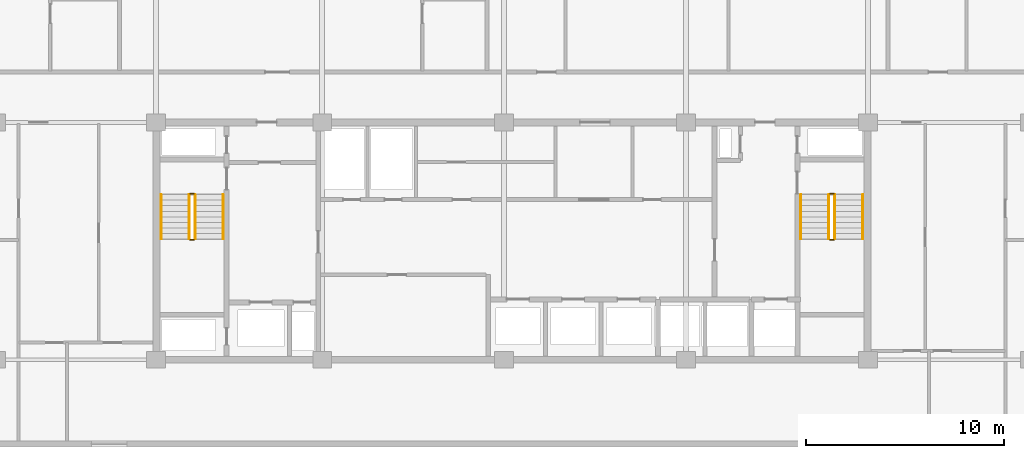
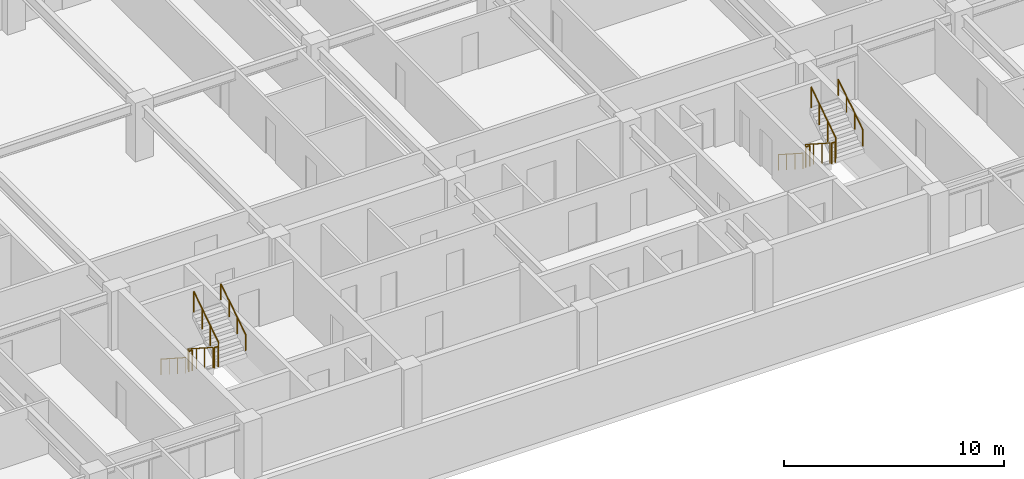
# One storey, part 21 of 22: 12 railings.
"""IFC4 building model written with IfcOpenShell, lengths in metres."""

from ifc_helpers import new_model, si_unit, direction, frame, origin, origin_2d, place, context, subcontext, project, spatial, circle, extrude, material, type_object, element, save


model = new_model("IFC4")

# Units and contexts
model_context = context("Model", 3, precision=1e-05, world=origin(), true_north=direction((0.0, 1.0)))
body_context = subcontext(model_context, "Body", "Model", "MODEL_VIEW")
ifc_project = project(units=[si_unit("LENGTHUNIT", "METRE"), si_unit("AREAUNIT", "SQUARE_METRE"), si_unit("VOLUMEUNIT", "CUBIC_METRE"), si_unit("PLANEANGLEUNIT", "RADIAN"), si_unit("MASSUNIT", "GRAM", prefix="KILO")], contexts=[model_context])

# Site, building, storey
site_placement = place(None, origin())
site = spatial("IfcSite", under=ifc_project, at=site_placement, CompositionType="ELEMENT")
building_placement = place(site_placement, origin())
building = spatial("IfcBuilding", under=site, at=building_placement, Name="Korimba Cascade Residences", CompositionType="ELEMENT")
storey_placement = place(building_placement, frame((0.0, 0.0, 132.800048828125)))
storey = spatial("IfcBuildingStorey", under=building, at=storey_placement, Name="L38", CompositionType="ELEMENT", Elevation=132.800048828125)

# Railings
ifc_material_1 = material(Name="Painted Steel Stairwell Guardrail", Category="steel")
railing_type_1 = type_object("IfcRailingType", Name="RLG-ST-GD1150", PredefinedType="GUARDRAIL", material=ifc_material_1)
railing_1_placement = place(storey_placement, frame((77.77001953125, 63.550048828125, 0.180419921875)))
element("IfcRailing", 1, at=railing_1_placement, inside=storey, type_object=railing_type_1, Name="L38 ST-W1 stair guard 1", PredefinedType="GUARDRAIL", context=body_context, shape_type="SweptSolid", body=[
    extrude(circle(Radius=0.02392578125, at=origin_2d()), frame((0.0, 0.0, 1.1259765625), z_axis=(0.0, -0.840394893359, 0.541974559565), x_axis=(1.0, 0.0, 0.0)), (0.0, 0.0, 1.0), 2.665283203125),
    extrude(circle(Radius=0.02099609375, at=origin_2d()), origin(), (0.0, 0.0, 1.0), 1.101806640625),
    extrude(circle(Radius=0.02099609375, at=origin_2d()), frame((0.0, -0.74658203125, 0.4814453125)), (0.0, 0.0, 1.0), 1.101806640625),
    extrude(circle(Radius=0.02099609375, at=origin_2d()), frame((0.0, -1.493408203125, 0.963134765625)), (0.0, 0.0, 1.0), 1.101806640625),
    extrude(circle(Radius=0.02099609375, at=origin_2d()), frame((0.0, -2.239990234375, 1.444580078125)), (0.0, 0.0, 1.0), 1.101806640625),
])
railing_2_placement = place(storey_placement, frame((77.820068359375, 61.260009765625, 1.625)))
element("IfcRailing", 2, at=railing_2_placement, inside=storey, type_object=railing_type_1, Name="L38 ST-W1 stair guard 2", PredefinedType="GUARDRAIL", context=body_context, shape_type="SweptSolid", body=[
    extrude(circle(Radius=0.02392578125, at=origin_2d()), frame((0.0, 0.0, 1.1259765625), z_axis=(1.0, 0.0, 0.0), x_axis=(0.0, 1.0, 0.0)), (0.0, 0.0, 1.0), 0.199951171875),
    extrude(circle(Radius=0.02099609375, at=origin_2d()), origin(), (0.0, 0.0, 1.0), 1.101806640625),
    extrude(circle(Radius=0.02099609375, at=origin_2d()), frame((0.199951171875, 0.0, 0.0)), (0.0, 0.0, 1.0), 1.101806640625),
])
railing_3_placement = place(storey_placement, frame((78.070068359375, 61.31005859375, 1.805419921875)))
element("IfcRailing", 3, at=railing_3_placement, inside=storey, type_object=railing_type_1, Name="L38 ST-W1 stair guard 3", PredefinedType="GUARDRAIL", context=body_context, shape_type="SweptSolid", body=[
    extrude(circle(Radius=0.02392578125, at=origin_2d()), frame((0.0, 0.0, 1.1259765625), z_axis=(0.0, 0.840394893359, 0.541974559565), x_axis=(-1.0, 0.0, 0.0)), (0.0, 0.0, 1.0), 2.665283203125),
    extrude(circle(Radius=0.02099609375, at=origin_2d()), origin(), (0.0, 0.0, 1.0), 1.101806640625),
    extrude(circle(Radius=0.02099609375, at=origin_2d()), frame((0.0, 0.74658203125, 0.4814453125)), (0.0, 0.0, 1.0), 1.101806640625),
    extrude(circle(Radius=0.02099609375, at=origin_2d()), frame((0.0, 1.493408203125, 0.963134765625)), (0.0, 0.0, 1.0), 1.101806640625),
    extrude(circle(Radius=0.02099609375, at=origin_2d()), frame((0.0, 2.239990234375, 1.444580078125)), (0.0, 0.0, 1.0), 1.101806640625),
])
railing_4_placement = place(storey_placement, frame((77.820068359375, 63.60009765625, 0.0)))
element("IfcRailing", 4, at=railing_4_placement, inside=storey, type_object=railing_type_1, Name="L38 ST-W1 stair guard 4", PredefinedType="GUARDRAIL", context=body_context, shape_type="SweptSolid", body=[
    extrude(circle(Radius=0.02392578125, at=origin_2d()), frame((0.0, 0.0, 1.1259765625), z_axis=(1.0, 0.0, 0.0), x_axis=(0.0, 1.0, 0.0)), (0.0, 0.0, 1.0), 0.199951171875),
    extrude(circle(Radius=0.02099609375, at=origin_2d()), origin(), (0.0, 0.0, 1.0), 1.101806640625),
    extrude(circle(Radius=0.02099609375, at=origin_2d()), frame((0.199951171875, 0.0, 0.0)), (0.0, 0.0, 1.0), 1.101806640625),
])
railing_5_placement = place(storey_placement, frame((110.1298828125, 63.550048828125, 0.180419921875)))
element("IfcRailing", 5, at=railing_5_placement, inside=storey, type_object=railing_type_1, Name="L38 ST-W2 stair guard 1", PredefinedType="GUARDRAIL", context=body_context, shape_type="SweptSolid", body=[
    extrude(circle(Radius=0.02392578125, at=origin_2d()), frame((0.0, 0.0, 1.1259765625), z_axis=(0.0, -0.840394893359, 0.541974559565), x_axis=(1.0, 0.0, 0.0)), (0.0, 0.0, 1.0), 2.665283203125),
    extrude(circle(Radius=0.02099609375, at=origin_2d()), origin(), (0.0, 0.0, 1.0), 1.101806640625),
    extrude(circle(Radius=0.02099609375, at=origin_2d()), frame((0.0, -0.74658203125, 0.4814453125)), (0.0, 0.0, 1.0), 1.101806640625),
    extrude(circle(Radius=0.02099609375, at=origin_2d()), frame((0.0, -1.493408203125, 0.963134765625)), (0.0, 0.0, 1.0), 1.101806640625),
    extrude(circle(Radius=0.02099609375, at=origin_2d()), frame((0.0, -2.239990234375, 1.444580078125)), (0.0, 0.0, 1.0), 1.101806640625),
])
railing_6_placement = place(storey_placement, frame((110.179931640625, 61.260009765625, 1.625)))
element("IfcRailing", 6, at=railing_6_placement, inside=storey, type_object=railing_type_1, Name="L38 ST-W2 stair guard 2", PredefinedType="GUARDRAIL", context=body_context, shape_type="SweptSolid", body=[
    extrude(circle(Radius=0.02392578125, at=origin_2d()), frame((0.0, 0.0, 1.1259765625), z_axis=(1.0, 0.0, 0.0), x_axis=(0.0, 1.0, 0.0)), (0.0, 0.0, 1.0), 0.199951171875),
    extrude(circle(Radius=0.02099609375, at=origin_2d()), origin(), (0.0, 0.0, 1.0), 1.101806640625),
    extrude(circle(Radius=0.02099609375, at=origin_2d()), frame((0.199951171875, 0.0, 0.0)), (0.0, 0.0, 1.0), 1.101806640625),
])
railing_7_placement = place(storey_placement, frame((110.429931640625, 61.31005859375, 1.805419921875)))
element("IfcRailing", 7, at=railing_7_placement, inside=storey, type_object=railing_type_1, Name="L38 ST-W2 stair guard 3", PredefinedType="GUARDRAIL", context=body_context, shape_type="SweptSolid", body=[
    extrude(circle(Radius=0.02392578125, at=origin_2d()), frame((0.0, 0.0, 1.1259765625), z_axis=(0.0, 0.840394893359, 0.541974559565), x_axis=(-1.0, 0.0, 0.0)), (0.0, 0.0, 1.0), 2.665283203125),
    extrude(circle(Radius=0.02099609375, at=origin_2d()), origin(), (0.0, 0.0, 1.0), 1.101806640625),
    extrude(circle(Radius=0.02099609375, at=origin_2d()), frame((0.0, 0.74658203125, 0.4814453125)), (0.0, 0.0, 1.0), 1.101806640625),
    extrude(circle(Radius=0.02099609375, at=origin_2d()), frame((0.0, 1.493408203125, 0.963134765625)), (0.0, 0.0, 1.0), 1.101806640625),
    extrude(circle(Radius=0.02099609375, at=origin_2d()), frame((0.0, 2.239990234375, 1.444580078125)), (0.0, 0.0, 1.0), 1.101806640625),
])
railing_8_placement = place(storey_placement, frame((110.179931640625, 63.60009765625, 0.0)))
element("IfcRailing", 8, at=railing_8_placement, inside=storey, type_object=railing_type_1, Name="L38 ST-W2 stair guard 4", PredefinedType="GUARDRAIL", context=body_context, shape_type="SweptSolid", body=[
    extrude(circle(Radius=0.02392578125, at=origin_2d()), frame((0.0, 0.0, 1.1259765625), z_axis=(1.0, 0.0, 0.0), x_axis=(0.0, 1.0, 0.0)), (0.0, 0.0, 1.0), 0.199951171875),
    extrude(circle(Radius=0.02099609375, at=origin_2d()), origin(), (0.0, 0.0, 1.0), 1.101806640625),
    extrude(circle(Radius=0.02099609375, at=origin_2d()), frame((0.199951171875, 0.0, 0.0)), (0.0, 0.0, 1.0), 1.101806640625),
])
ifc_material_2 = material(Name="Brushed Stainless Steel Handrail", Category="steel")
railing_type_2 = type_object("IfcRailingType", Name="RLG-ST-HR900", PredefinedType="HANDRAIL", material=ifc_material_2)
railing_9_placement = place(storey_placement, frame((76.35009765625, 63.550048828125, 0.364990234375)))
element("IfcRailing", 9, at=railing_9_placement, inside=storey, type_object=railing_type_2, Name="L38 ST-W1 stair handrail 1", PredefinedType="HANDRAIL", context=body_context, shape_type="SweptSolid", body=[
    extrude(circle(Radius=0.02392578125, at=origin_2d()), frame((0.0, 0.0, 0.8759765625), z_axis=(0.0, -0.840436612492, 0.541909863706), x_axis=(1.0, 0.0, 0.0)), (0.0, 0.0, 1.0), 2.665283203125),
    extrude(circle(Radius=0.02099609375, at=origin_2d()), origin(), (0.0, 0.0, 1.0), 0.851806640625),
    extrude(circle(Radius=0.02099609375, at=origin_2d()), frame((0.0, -0.74658203125, 0.4814453125)), (0.0, 0.0, 1.0), 0.851806640625),
    extrude(circle(Radius=0.02099609375, at=origin_2d()), frame((0.0, -1.493408203125, 0.962890625)), (0.0, 0.0, 1.0), 0.851806640625),
    extrude(circle(Radius=0.02099609375, at=origin_2d()), frame((0.0, -2.239990234375, 1.4443359375)), (0.0, 0.0, 1.0), 0.851806640625),
])
railing_10_placement = place(storey_placement, frame((79.489990234375, 61.31005859375, 1.989990234375)))
element("IfcRailing", 10, at=railing_10_placement, inside=storey, type_object=railing_type_2, Name="L38 ST-W1 stair handrail 2", PredefinedType="HANDRAIL", context=body_context, shape_type="SweptSolid", body=[
    extrude(circle(Radius=0.02392578125, at=origin_2d()), frame((0.0, 0.0, 0.8759765625), z_axis=(0.0, 0.840436612492, 0.541909863706), x_axis=(-1.0, 0.0, 0.0)), (0.0, 0.0, 1.0), 2.665283203125),
    extrude(circle(Radius=0.02099609375, at=origin_2d()), origin(), (0.0, 0.0, 1.0), 0.851806640625),
    extrude(circle(Radius=0.02099609375, at=origin_2d()), frame((0.0, 0.74658203125, 0.4814453125)), (0.0, 0.0, 1.0), 0.851806640625),
    extrude(circle(Radius=0.02099609375, at=origin_2d()), frame((0.0, 1.493408203125, 0.962890625)), (0.0, 0.0, 1.0), 0.851806640625),
    extrude(circle(Radius=0.02099609375, at=origin_2d()), frame((0.0, 2.239990234375, 1.4443359375)), (0.0, 0.0, 1.0), 0.851806640625),
])
railing_11_placement = place(storey_placement, frame((108.7099609375, 63.550048828125, 0.364990234375)))
element("IfcRailing", 11, at=railing_11_placement, inside=storey, type_object=railing_type_2, Name="L38 ST-W2 stair handrail 1", PredefinedType="HANDRAIL", context=body_context, shape_type="SweptSolid", body=[
    extrude(circle(Radius=0.02392578125, at=origin_2d()), frame((0.0, 0.0, 0.8759765625), z_axis=(0.0, -0.840436612492, 0.541909863706), x_axis=(1.0, 0.0, 0.0)), (0.0, 0.0, 1.0), 2.665283203125),
    extrude(circle(Radius=0.02099609375, at=origin_2d()), origin(), (0.0, 0.0, 1.0), 0.851806640625),
    extrude(circle(Radius=0.02099609375, at=origin_2d()), frame((0.0, -0.74658203125, 0.4814453125)), (0.0, 0.0, 1.0), 0.851806640625),
    extrude(circle(Radius=0.02099609375, at=origin_2d()), frame((0.0, -1.493408203125, 0.962890625)), (0.0, 0.0, 1.0), 0.851806640625),
    extrude(circle(Radius=0.02099609375, at=origin_2d()), frame((0.0, -2.239990234375, 1.4443359375)), (0.0, 0.0, 1.0), 0.851806640625),
])
railing_12_placement = place(storey_placement, frame((111.85009765625, 61.31005859375, 1.989990234375)))
element("IfcRailing", 12, at=railing_12_placement, inside=storey, type_object=railing_type_2, Name="L38 ST-W2 stair handrail 2", PredefinedType="HANDRAIL", context=body_context, shape_type="SweptSolid", body=[
    extrude(circle(Radius=0.02392578125, at=origin_2d()), frame((0.0, 0.0, 0.8759765625), z_axis=(0.0, 0.840436612492, 0.541909863706), x_axis=(-1.0, 0.0, 0.0)), (0.0, 0.0, 1.0), 2.665283203125),
    extrude(circle(Radius=0.02099609375, at=origin_2d()), origin(), (0.0, 0.0, 1.0), 0.851806640625),
    extrude(circle(Radius=0.02099609375, at=origin_2d()), frame((0.0, 0.74658203125, 0.4814453125)), (0.0, 0.0, 1.0), 0.851806640625),
    extrude(circle(Radius=0.02099609375, at=origin_2d()), frame((0.0, 1.493408203125, 0.962890625)), (0.0, 0.0, 1.0), 0.851806640625),
    extrude(circle(Radius=0.02099609375, at=origin_2d()), frame((0.0, 2.239990234375, 1.4443359375)), (0.0, 0.0, 1.0), 0.851806640625),
])

save(model, "model.ifc")
